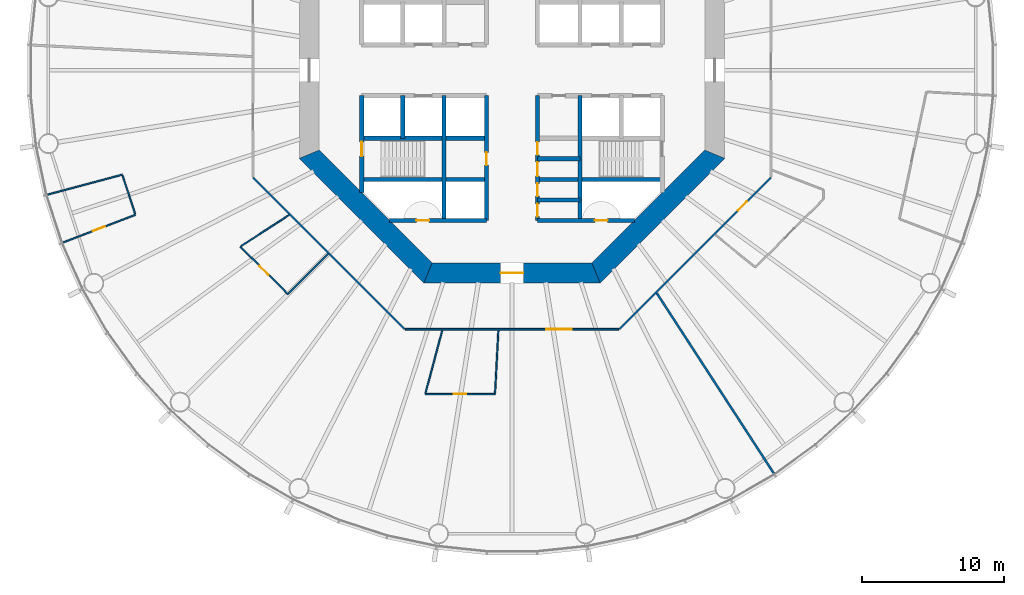
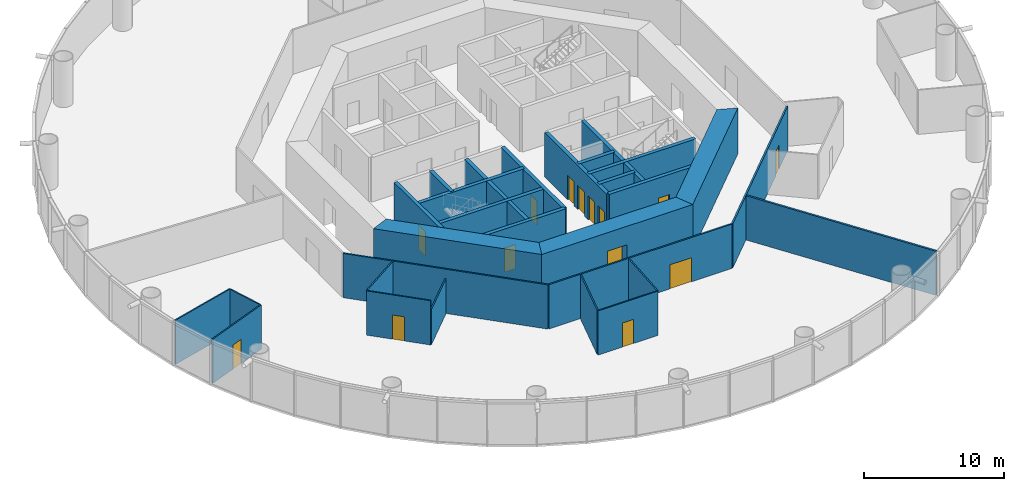
# One storey, part 3 of 13: 29 walls, 14 doors, 14 openings.
"""IFC4 building model written with IfcOpenShell, lengths in metres."""

from ifc_helpers import new_model, si_unit, direction, frame, frame_2d, origin, place, context, subcontext, project, spatial, polyline, rectangle, outline, extrude, material, layer, layer_set, type_object, element, fill, save


model = new_model("IFC4")

# Units and contexts
model_context = context("Model", 3, precision=1e-05, world=origin(), true_north=direction((0.0, 1.0)))
body_context = subcontext(model_context, "Body", "Model", "MODEL_VIEW")
ifc_project = project(units=[si_unit("LENGTHUNIT", "METRE"), si_unit("AREAUNIT", "SQUARE_METRE"), si_unit("VOLUMEUNIT", "CUBIC_METRE"), si_unit("PLANEANGLEUNIT", "RADIAN"), si_unit("MASSUNIT", "GRAM", prefix="KILO")], contexts=[model_context])

# Site, building, storey
site_placement = place(None, origin())
site = spatial("IfcSite", under=ifc_project, at=site_placement, CompositionType="ELEMENT")
building_placement = place(site_placement, origin())
building = spatial("IfcBuilding", under=site, at=building_placement, Name="Entoto Ring Tower", CompositionType="ELEMENT")
storey_placement = place(building_placement, frame((0.0, 0.0, 50.0)))
storey = spatial("IfcBuildingStorey", under=building, at=storey_placement, Name="L10", CompositionType="ELEMENT", Elevation=50.0)

# Wall
ifc_material_1 = material(Name="Concrete C40/50", Category="concrete")
ifc_layer_1 = layer(ifc_material_1, 0.300048828125)
ifc_layer_set_1 = layer_set([ifc_layer_1], Name="Concrete C40/50")
wall_type_1 = type_object("IfcWallType", Name="Core enclosure wall 300 mm reinforced concrete", PredefinedType="SOLIDWALL", material=ifc_layer_set_1)
wall_1_placement = place(storey_placement, frame((94.800048828125, 69.39990234375, 0.0), z_axis=(0.0, 0.0, 1.0), x_axis=(0.0, 1.0, 0.0)))
element("IfcWall", 1, at=wall_1_placement, inside=storey, type_object=wall_type_1, Name="wall-L10-005", PredefinedType="SOLIDWALL", context=body_context, shape_type="SweptSolid", body=[
    extrude(rectangle(XDim=8.800048828125, YDim=0.300048828125, at=frame_2d((4.39990234375, 0.0))), origin(), (0.0, 0.0, 1.0), 3.85009765625),
])

# Wall, openings, doors
wall_2_placement = place(storey_placement, frame((91.800048828125, 69.39990234375, 0.0), z_axis=(0.0, 0.0, 1.0), x_axis=(0.0, 1.0, 0.0)))
wall_2 = element("IfcWall", 2, at=wall_2_placement, inside=storey, type_object=wall_type_1, Name="wall-L10-007", PredefinedType="SOLIDWALL", context=body_context, shape_type="SweptSolid", body=[
    extrude(rectangle(XDim=8.800048828125, YDim=0.300048828125, at=frame_2d((4.39990234375, 0.0))), origin(), (0.0, 0.0, 1.0), 3.85009765625),
])
opening_1_placement = place(wall_2_placement, frame((3.125, 0.0, 0.0)))
opening_1 = element("IfcOpeningElement", 3, at=opening_1_placement, cuts=wall_2, Name="Opening K-13", PredefinedType="OPENING", context=body_context, shape_type="SweptSolid", body=[
    extrude(rectangle(XDim=1.0, YDim=2.10009765625, at=frame_2d((0.5, 1.050048828125))), frame((0.0, 0.16015625, 0.0), z_axis=(0.0, -1.0, 0.0), x_axis=(1.0, 0.0, 0.0)), (0.0, 0.0, 1.0), 0.320068359375),
])
opening_2_placement = place(wall_2_placement, frame((4.625, 0.0, 0.0)))
opening_2 = element("IfcOpeningElement", 4, at=opening_2_placement, cuts=wall_2, Name="Opening K-14", PredefinedType="OPENING", context=body_context, shape_type="SweptSolid", body=[
    extrude(rectangle(XDim=0.89990234375, YDim=2.10009765625, at=frame_2d((0.449951171875, 1.050048828125))), frame((0.0, 0.16015625, 0.0), z_axis=(0.0, -1.0, 0.0), x_axis=(1.0, 0.0, 0.0)), (0.0, 0.0, 1.0), 0.320068359375),
])
opening_3_placement = place(wall_2_placement, frame((0.27490234375, 0.0, 0.0)))
opening_3 = element("IfcOpeningElement", 5, at=opening_3_placement, cuts=wall_2, Name="Opening K-15", PredefinedType="OPENING", context=body_context, shape_type="SweptSolid", body=[
    extrude(rectangle(XDim=0.89990234375, YDim=2.10009765625, at=frame_2d((0.449951171875, 1.050048828125))), frame((0.0, 0.16015625, 0.0), z_axis=(0.0, -1.0, 0.0), x_axis=(1.0, 0.0, 0.0)), (0.0, 0.0, 1.0), 0.320068359375),
])
opening_4_placement = place(wall_2_placement, frame((1.72509765625, 0.0, 0.0)))
opening_4 = element("IfcOpeningElement", 6, at=opening_4_placement, cuts=wall_2, Name="Opening K-16", PredefinedType="OPENING", context=body_context, shape_type="SweptSolid", body=[
    extrude(rectangle(XDim=0.89990234375, YDim=2.10009765625, at=frame_2d((0.449951171875, 1.050048828125))), frame((0.0, 0.16015625, 0.0), z_axis=(0.0, -1.0, 0.0), x_axis=(1.0, 0.0, 0.0)), (0.0, 0.0, 1.0), 0.320068359375),
])
ifc_material_2 = material(Name="Steel door leaf, fire rated", Category="steel")
ifc_layer_2 = layer(ifc_material_2, 0.050048828125)
ifc_layer_set_2 = layer_set([ifc_layer_2], Name="Steel door leaf, fire rated")
door_type_1 = type_object("IfcDoorType", Name="Accessible door 1000 x 2100 single leaf", OperationType="NOTDEFINED", PredefinedType="DOOR", material=ifc_layer_set_2)
door_1_placement = place(opening_1_placement, frame((1.0, 0.0, 0.0), z_axis=(0.0, 0.0, 1.0), x_axis=(-1.0, 0.0, 0.0)))
door_1 = element("IfcDoor", 7, at=door_1_placement, inside=storey, type_object=door_type_1, Name="Door K-13", OperationType="SINGLE_SWING_LEFT", OverallHeight=2.10009765625, OverallWidth=1.0, PredefinedType="DOOR", context=body_context, shape_type="SweptSolid", body=[
    extrude(rectangle(XDim=1.0, YDim=2.10009765625, at=frame_2d((0.5, 1.050048828125))), frame((0.0, 0.02490234375, 0.0), z_axis=(0.0, -1.0, 0.0), x_axis=(1.0, 0.0, 0.0)), (0.0, 0.0, 1.0), 0.050048828125),
])
fill(opening_1, door_1)
ifc_material_3 = material(Name="Steel door leaf, fire rated", Category="steel")
ifc_layer_3 = layer(ifc_material_3, 0.050048828125)
ifc_layer_set_3 = layer_set([ifc_layer_3], Name="Steel door leaf, fire rated")
door_type_2 = type_object("IfcDoorType", Name="Core door 900 x 2100 single leaf", OperationType="NOTDEFINED", PredefinedType="DOOR", material=ifc_layer_set_3)
door_2_placement = place(opening_2_placement, frame((0.89990234375, 0.0, 0.0), z_axis=(0.0, 0.0, 1.0), x_axis=(-1.0, 0.0, 0.0)))
door_2 = element("IfcDoor", 8, at=door_2_placement, inside=storey, type_object=door_type_2, Name="Door K-14", OperationType="SINGLE_SWING_LEFT", OverallHeight=2.10009765625, OverallWidth=0.89990234375, PredefinedType="DOOR", context=body_context, shape_type="SweptSolid", body=[
    extrude(rectangle(XDim=0.89990234375, YDim=2.10009765625, at=frame_2d((0.449951171875, 1.050048828125))), frame((0.0, 0.02490234375, 0.0), z_axis=(0.0, -1.0, 0.0), x_axis=(1.0, 0.0, 0.0)), (0.0, 0.0, 1.0), 0.050048828125),
])
fill(opening_2, door_2)
door_3_placement = place(opening_3_placement, frame((0.89990234375, 0.0, 0.0), z_axis=(0.0, 0.0, 1.0), x_axis=(-1.0, 0.0, 0.0)))
door_3 = element("IfcDoor", 9, at=door_3_placement, inside=storey, type_object=door_type_2, Name="Door K-15", OperationType="SINGLE_SWING_LEFT", OverallHeight=2.10009765625, OverallWidth=0.89990234375, PredefinedType="DOOR", context=body_context, shape_type="SweptSolid", body=[
    extrude(rectangle(XDim=0.89990234375, YDim=2.10009765625, at=frame_2d((0.449951171875, 1.050048828125))), frame((0.0, 0.02490234375, 0.0), z_axis=(0.0, -1.0, 0.0), x_axis=(1.0, 0.0, 0.0)), (0.0, 0.0, 1.0), 0.050048828125),
])
fill(opening_3, door_3)
door_4_placement = place(opening_4_placement, frame((0.89990234375, 0.0, 0.0), z_axis=(0.0, 0.0, 1.0), x_axis=(-1.0, 0.0, 0.0)))
door_4 = element("IfcDoor", 10, at=door_4_placement, inside=storey, type_object=door_type_2, Name="Door K-16", OperationType="SINGLE_SWING_LEFT", OverallHeight=2.10009765625, OverallWidth=0.89990234375, PredefinedType="DOOR", context=body_context, shape_type="SweptSolid", body=[
    extrude(rectangle(XDim=0.89990234375, YDim=2.10009765625, at=frame_2d((0.449951171875, 1.050048828125))), frame((0.0, 0.02490234375, 0.0), z_axis=(0.0, -1.0, 0.0), x_axis=(1.0, 0.0, 0.0)), (0.0, 0.0, 1.0), 0.050048828125),
])
fill(opening_4, door_4)

# Wall, opening, door
wall_3_placement = place(storey_placement, frame((88.199951171875, 69.39990234375, 0.0), z_axis=(0.0, 0.0, 1.0), x_axis=(0.0, 1.0, 0.0)))
wall_3 = element("IfcWall", 11, at=wall_3_placement, inside=storey, type_object=wall_type_1, Name="wall-L10-009", PredefinedType="SOLIDWALL", context=body_context, shape_type="SweptSolid", body=[
    extrude(rectangle(XDim=8.800048828125, YDim=0.300048828125, at=frame_2d((4.39990234375, 0.0))), origin(), (0.0, 0.0, 1.0), 3.85009765625),
])
opening_5_placement = place(wall_3_placement, frame((3.89990234375, 0.0, 0.0)))
opening_5 = element("IfcOpeningElement", 12, at=opening_5_placement, cuts=wall_3, Name="Opening K-57", PredefinedType="OPENING", context=body_context, shape_type="SweptSolid", body=[
    extrude(rectangle(XDim=0.89990234375, YDim=2.10009765625, at=frame_2d((0.449951171875, 1.050048828125))), frame((0.0, 0.16015625, 0.0), z_axis=(0.0, -1.0, 0.0), x_axis=(1.0, 0.0, 0.0)), (0.0, 0.0, 1.0), 0.320068359375),
])
door_5_placement = place(opening_5_placement, origin())
door_5 = element("IfcDoor", 13, at=door_5_placement, inside=storey, type_object=door_type_2, Name="Door K-57", OperationType="SINGLE_SWING_RIGHT", OverallHeight=2.10009765625, OverallWidth=0.89990234375, PredefinedType="DOOR", context=body_context, shape_type="SweptSolid", body=[
    extrude(rectangle(XDim=0.89990234375, YDim=2.10009765625, at=frame_2d((0.449951171875, 1.050048828125))), frame((0.0, 0.02490234375, 0.0), z_axis=(0.0, -1.0, 0.0), x_axis=(1.0, 0.0, 0.0)), (0.0, 0.0, 1.0), 0.050048828125),
])
fill(opening_5, door_5)

# Walls
wall_4_placement = place(storey_placement, frame((85.199951171875, 69.39990234375, 0.0), z_axis=(0.0, 0.0, 1.0), x_axis=(0.0, 1.0, 0.0)))
element("IfcWall", 14, at=wall_4_placement, inside=storey, type_object=wall_type_1, Name="wall-L10-011", PredefinedType="SOLIDWALL", context=body_context, shape_type="SweptSolid", body=[
    extrude(rectangle(XDim=8.800048828125, YDim=0.300048828125, at=frame_2d((4.39990234375, 0.0))), origin(), (0.0, 0.0, 1.0), 3.85009765625),
])
wall_5_placement = place(storey_placement, frame((82.300048828125, 75.199951171875, 0.0), z_axis=(0.0, 0.0, 1.0), x_axis=(0.0, 1.0, 0.0)))
element("IfcWall", 15, at=wall_5_placement, inside=storey, type_object=wall_type_1, Name="wall-L10-013", PredefinedType="SOLIDWALL", context=body_context, shape_type="SweptSolid", body=[
    extrude(rectangle(XDim=3.0, YDim=0.300048828125, at=frame_2d((1.5, 0.0))), origin(), (0.0, 0.0, 1.0), 3.85009765625),
])

# Wall, opening, door
wall_6_placement = place(storey_placement, frame((79.39990234375, 71.36669921875, 0.0), z_axis=(0.0, 0.0, 1.0), x_axis=(0.0, 1.0, 0.0)))
wall_6 = element("IfcWall", 16, at=wall_6_placement, inside=storey, type_object=wall_type_1, Name="wall-L10-015", PredefinedType="SOLIDWALL", context=body_context, shape_type="SweptSolid", body=[
    extrude(rectangle(XDim=6.833251953125, YDim=0.300048828125, at=frame_2d((3.41650390625, 0.0))), origin(), (0.0, 0.0, 1.0), 3.85009765625),
])
opening_6_placement = place(wall_6_placement, frame((2.583251953125, 0.0, 0.0)))
opening_6 = element("IfcOpeningElement", 17, at=opening_6_placement, cuts=wall_6, Name="Opening K-67", PredefinedType="OPENING", context=body_context, shape_type="SweptSolid", body=[
    extrude(rectangle(XDim=1.0, YDim=2.10009765625, at=frame_2d((0.5, 1.050048828125))), frame((0.0, 0.16015625, 0.0), z_axis=(0.0, -1.0, 0.0), x_axis=(1.0, 0.0, 0.0)), (0.0, 0.0, 1.0), 0.320068359375),
])
ifc_material_4 = material(Name="Steel door leaf, fire rated", Category="steel")
ifc_layer_4 = layer(ifc_material_4, 0.050048828125)
ifc_layer_set_4 = layer_set([ifc_layer_4], Name="Steel door leaf, fire rated")
door_type_3 = type_object("IfcDoorType", Name="Fire door FD60 1000 x 2100 single leaf", OperationType="NOTDEFINED", PredefinedType="DOOR", material=ifc_layer_set_4)
door_6_placement = place(opening_6_placement, frame((1.0, 0.0, 0.0), z_axis=(0.0, 0.0, 1.0), x_axis=(-1.0, 0.0, 0.0)))
door_6 = element("IfcDoor", 18, at=door_6_placement, inside=storey, type_object=door_type_3, Name="Door K-67", OperationType="SINGLE_SWING_LEFT", OverallHeight=2.10009765625, OverallWidth=1.0, PredefinedType="DOOR", context=body_context, shape_type="SweptSolid", body=[
    extrude(rectangle(XDim=1.0, YDim=2.10009765625, at=frame_2d((0.5, 1.050048828125))), frame((0.0, 0.02490234375, 0.0), z_axis=(0.0, -1.0, 0.0), x_axis=(1.0, 0.0, 0.0)), (0.0, 0.0, 1.0), 0.050048828125),
])
fill(opening_6, door_6)

wall_7_placement = place(storey_placement, frame((81.36669921875, 69.39990234375, 0.0), z_axis=(0.0, 0.0, 1.0), x_axis=(1.0, 0.0, 0.0)))
wall_7 = element("IfcWall", 19, at=wall_7_placement, inside=storey, type_object=wall_type_1, Name="wall-L10-017", PredefinedType="SOLIDWALL", context=body_context, shape_type="SweptSolid", body=[
    extrude(rectangle(XDim=6.833251953125, YDim=0.300048828125, at=frame_2d((3.41650390625, 0.0))), origin(), (0.0, 0.0, 1.0), 3.85009765625),
])
opening_7_placement = place(wall_7_placement, frame((1.88330078125, 0.0, 0.0)))
opening_7 = element("IfcOpeningElement", 20, at=opening_7_placement, cuts=wall_7, Name="Opening K-74", PredefinedType="OPENING", context=body_context, shape_type="SweptSolid", body=[
    extrude(rectangle(XDim=0.89990234375, YDim=2.10009765625, at=frame_2d((0.449951171875, 1.050048828125))), frame((0.0, 0.16015625, 0.0), z_axis=(0.0, -1.0, 0.0), x_axis=(1.0, 0.0, 0.0)), (0.0, 0.0, 1.0), 0.320068359375),
])
ifc_material_5 = material(Name="Steel door leaf, fire rated", Category="steel")
ifc_layer_5 = layer(ifc_material_5, 0.050048828125)
ifc_layer_set_5 = layer_set([ifc_layer_5], Name="Steel door leaf, fire rated")
door_type_4 = type_object("IfcDoorType", Name="Riser door FD60 900 x 2100 single leaf", OperationType="NOTDEFINED", PredefinedType="DOOR", material=ifc_layer_set_5)
door_7_placement = place(opening_7_placement, origin())
door_7 = element("IfcDoor", 21, at=door_7_placement, inside=storey, type_object=door_type_4, Name="Door K-74", OperationType="SINGLE_SWING_RIGHT", OverallHeight=2.10009765625, OverallWidth=0.89990234375, PredefinedType="DOOR", context=body_context, shape_type="SweptSolid", body=[
    extrude(rectangle(XDim=0.89990234375, YDim=2.10009765625, at=frame_2d((0.449951171875, 1.050048828125))), frame((0.0, 0.02490234375, 0.0), z_axis=(0.0, -1.0, 0.0), x_axis=(1.0, 0.0, 0.0)), (0.0, 0.0, 1.0), 0.050048828125),
])
fill(opening_7, door_7)

wall_8_placement = place(storey_placement, frame((91.800048828125, 69.39990234375, 0.0), z_axis=(0.0, 0.0, 1.0), x_axis=(1.0, 0.0, 0.0)))
wall_8 = element("IfcWall", 22, at=wall_8_placement, inside=storey, type_object=wall_type_1, Name="wall-L10-018", PredefinedType="SOLIDWALL", context=body_context, shape_type="SweptSolid", body=[
    extrude(rectangle(XDim=6.833251953125, YDim=0.300048828125, at=frame_2d((3.41650390625, 0.0))), origin(), (0.0, 0.0, 1.0), 3.85009765625),
])
opening_8_placement = place(wall_8_placement, frame((4.050048828125, 0.0, 0.0)))
opening_8 = element("IfcOpeningElement", 23, at=opening_8_placement, cuts=wall_8, Name="Opening K-75", PredefinedType="OPENING", context=body_context, shape_type="SweptSolid", body=[
    extrude(rectangle(XDim=0.89990234375, YDim=2.10009765625, at=frame_2d((0.449951171875, 1.050048828125))), frame((0.0, 0.16015625, 0.0), z_axis=(0.0, -1.0, 0.0), x_axis=(1.0, 0.0, 0.0)), (0.0, 0.0, 1.0), 0.320068359375),
])
door_8_placement = place(opening_8_placement, origin())
door_8 = element("IfcDoor", 24, at=door_8_placement, inside=storey, type_object=door_type_4, Name="Door K-75", OperationType="SINGLE_SWING_LEFT", OverallHeight=2.10009765625, OverallWidth=0.89990234375, PredefinedType="DOOR", context=body_context, shape_type="SweptSolid", body=[
    extrude(rectangle(XDim=0.89990234375, YDim=2.10009765625, at=frame_2d((0.449951171875, 1.050048828125))), frame((0.0, 0.02490234375, 0.0), z_axis=(0.0, -1.0, 0.0), x_axis=(1.0, 0.0, 0.0)), (0.0, 0.0, 1.0), 0.050048828125),
])
fill(opening_8, door_8)

# Walls
wall_9_placement = place(storey_placement, frame((91.800048828125, 70.85009765625, 0.0), z_axis=(0.0, 0.0, 1.0), x_axis=(1.0, 0.0, 0.0)))
element("IfcWall", 25, at=wall_9_placement, inside=storey, type_object=wall_type_1, Name="wall-L10-019", PredefinedType="SOLIDWALL", context=body_context, shape_type="SweptSolid", body=[
    extrude(rectangle(XDim=3.0, YDim=0.300048828125, at=frame_2d((1.5, 0.0))), origin(), (0.0, 0.0, 1.0), 3.85009765625),
])
for number, where, z_axis, x_axis, name in (
    (26, (79.39990234375, 72.300048828125, 0.0), (0.0, 0.0, 1.0), (1.0, 0.0, 0.0), "wall-L10-020"),
    (27, (91.800048828125, 72.300048828125, 0.0), (0.0, 0.0, 1.0), (1.0, 0.0, 0.0), "wall-L10-021"),
):
    element("IfcWall", number, at=place(storey_placement, frame(where, z_axis=z_axis, x_axis=x_axis)), inside=storey, type_object=wall_type_1, Name=name, PredefinedType="SOLIDWALL", context=body_context, shape_type="SweptSolid", body=[
        extrude(rectangle(XDim=8.800048828125, YDim=0.300048828125, at=frame_2d((4.39990234375, 0.0))), origin(), (0.0, 0.0, 1.0), 3.85009765625),
    ])
wall_10_placement = place(storey_placement, frame((91.800048828125, 73.75, 0.0), z_axis=(0.0, 0.0, 1.0), x_axis=(1.0, 0.0, 0.0)))
element("IfcWall", 28, at=wall_10_placement, inside=storey, type_object=wall_type_1, Name="wall-L10-022", PredefinedType="SOLIDWALL", context=body_context, shape_type="SweptSolid", body=[
    extrude(rectangle(XDim=3.0, YDim=0.300048828125, at=frame_2d((1.5, 0.0))), origin(), (0.0, 0.0, 1.0), 3.85009765625),
])
wall_11_placement = place(storey_placement, frame((79.39990234375, 75.199951171875, 0.0), z_axis=(0.0, 0.0, 1.0), x_axis=(1.0, 0.0, 0.0)))
element("IfcWall", 29, at=wall_11_placement, inside=storey, type_object=wall_type_1, Name="wall-L10-023", PredefinedType="SOLIDWALL", context=body_context, shape_type="SweptSolid", body=[
    extrude(rectangle(XDim=8.800048828125, YDim=0.300048828125, at=frame_2d((4.39990234375, 0.0))), origin(), (0.0, 0.0, 1.0), 3.85009765625),
])
ifc_material_6 = material(Name="Concrete C60/75", Category="concrete")
ifc_layer_6 = layer(ifc_material_6, 1.39990234375)
ifc_layer_set_6 = layer_set([ifc_layer_6], Name="Concrete C60/75")
wall_type_2 = type_object("IfcWallType", Name="Core shear wall 1400 mm reinforced concrete C60/75", PredefinedType="SHEAR", material=ifc_layer_set_6)
wall_12_placement = place(storey_placement, frame((75.699951171875, 74.07666015625, 0.0), z_axis=(0.0, 0.0, 1.0), x_axis=(0.707106781187, -0.707106781187, 0.0)))
element("IfcWall", 30, at=wall_12_placement, inside=storey, type_object=wall_type_2, Name="wall-L10-core-5", PredefinedType="SHEAR", context=body_context, shape_type="SweptSolid", body=[
    extrude(outline(polyline([(-0.2900390625, -0.699951171875), (12.136474609375, -0.699951171875), (11.556396484375, 0.699951171875), (0.2900390625, 0.699951171875), (-0.2900390625, -0.699951171875)])), origin(), (0.0, 0.0, 1.0), 4.0),
])

# Wall, opening, door
wall_13_placement = place(storey_placement, frame((84.07666015625, 65.699951171875, 0.0), z_axis=(0.0, 0.0, 1.0), x_axis=(1.0, 0.0, 0.0)))
wall_13 = element("IfcWall", 31, at=wall_13_placement, inside=storey, type_object=wall_type_2, Name="wall-L10-core-6", PredefinedType="SHEAR", context=body_context, shape_type="SweptSolid", body=[
    extrude(outline(polyline([(-0.2900390625, -0.699951171875), (12.13671875, -0.699951171875), (11.556640625, 0.699951171875), (0.2900390625, 0.699951171875), (-0.2900390625, -0.699951171875)])), origin(), (0.0, 0.0, 1.0), 4.0),
])
opening_9_placement = place(wall_13_placement, frame((5.123291015625, 0.0, 0.0)))
opening_9 = element("IfcOpeningElement", 32, at=opening_9_placement, cuts=wall_13, Name="Opening K-04", PredefinedType="OPENING", context=body_context, shape_type="SweptSolid", body=[
    extrude(rectangle(XDim=1.60009765625, YDim=2.39990234375, at=frame_2d((0.800048828125, 1.199951171875))), frame((0.0, 0.7099609375, 0.0), z_axis=(0.0, -1.0, 0.0), x_axis=(1.0, 0.0, 0.0)), (0.0, 0.0, 1.0), 1.419921875),
])
ifc_material_7 = material(Name="Steel door leaf, fire rated", Category="steel")
ifc_layer_7 = layer(ifc_material_7, 0.050048828125)
ifc_layer_set_7 = layer_set([ifc_layer_7], Name="Steel door leaf, fire rated")
door_type_5 = type_object("IfcDoorType", Name="Entrance door FD60 1600 x 2400 double leaf", OperationType="DOUBLE_DOOR_SINGLE_SWING", PredefinedType="DOOR", material=ifc_layer_set_7)
door_9_placement = place(opening_9_placement, origin())
door_9 = element("IfcDoor", 33, at=door_9_placement, inside=storey, type_object=door_type_5, Name="Entrance door K-04", OperationType="DOUBLE_DOOR_SINGLE_SWING", OverallHeight=2.39990234375, OverallWidth=1.60009765625, PredefinedType="DOOR", context=body_context, shape_type="SweptSolid", body=[
    extrude(rectangle(XDim=1.60009765625, YDim=2.39990234375, at=frame_2d((0.800048828125, 1.199951171875))), frame((0.0, 0.02490234375, 0.0), z_axis=(0.0, -1.0, 0.0), x_axis=(1.0, 0.0, 0.0)), (0.0, 0.0, 1.0), 0.050048828125),
])
fill(opening_9, door_9)

# Walls
wall_14_placement = place(storey_placement, frame((95.92333984375, 65.699951171875, 0.0), z_axis=(0.0, 0.0, 1.0), x_axis=(0.707106781187, 0.707106781187, 0.0)))
element("IfcWall", 34, at=wall_14_placement, inside=storey, type_object=wall_type_2, Name="wall-L10-core-7", PredefinedType="SHEAR", context=body_context, shape_type="SweptSolid", body=[
    extrude(outline(polyline([(-0.2900390625, -0.699951171875), (12.136474609375, -0.699951171875), (11.556396484375, 0.699951171875), (0.2900390625, 0.699951171875), (-0.2900390625, -0.699951171875)])), origin(), (0.0, 0.0, 1.0), 4.0),
])
ifc_material_8 = material(Name="Fire-resisting plasterboard on steel studs", Category="steel")
ifc_layer_8 = layer(ifc_material_8, 0.125)
ifc_layer_set_8 = layer_set([ifc_layer_8], Name="Fire-resisting plasterboard on steel studs")
wall_type_3 = type_object("IfcWallType", Name="Corridor wall 125 mm one-hour plasterboard on steel studs", PredefinedType="PARTITIONING", material=ifc_layer_set_8)
wall_15_placement = place(storey_placement, frame((82.435302734375, 61.737548828125, 0.0), z_axis=(0.0, 0.0, 1.0), x_axis=(-0.707106781187, 0.707106781187, 0.0)))
element("IfcWall", 35, at=wall_15_placement, inside=storey, type_object=wall_type_3, Name="partition-L10-002", PredefinedType="PARTITIONING", context=body_context, shape_type="SweptSolid", body=[
    extrude(rectangle(XDim=15.12890625, YDim=0.125, at=frame_2d((7.564453125, 0.0))), origin(), (0.0, 0.0, 1.0), 3.85009765625),
])

# Wall, opening, door
wall_16_placement = place(storey_placement, frame((97.564697265625, 61.737548828125, 0.0), z_axis=(0.0, 0.0, 1.0), x_axis=(0.707106781187, 0.707106781187, 0.0)))
wall_16 = element("IfcWall", 36, at=wall_16_placement, inside=storey, type_object=wall_type_3, Name="partition-L10-003", PredefinedType="PARTITIONING", context=body_context, shape_type="SweptSolid", body=[
    extrude(rectangle(XDim=15.12890625, YDim=0.125, at=frame_2d((7.564453125, 0.0))), origin(), (0.0, 0.0, 1.0), 3.85009765625),
])
opening_10_placement = place(wall_16_placement, frame((11.8564453125, 0.0, 0.0)))
opening_10 = element("IfcOpeningElement", 37, at=opening_10_placement, cuts=wall_16, Name="Opening A04-D09", PredefinedType="OPENING", context=body_context, shape_type="SweptSolid", body=[
    extrude(rectangle(XDim=0.89990234375, YDim=2.10009765625, at=frame_2d((0.449951171875, 1.050048828125))), frame((0.0, 0.072509765625, 0.0), z_axis=(0.0, -1.0, 0.0), x_axis=(1.0, 0.0, 0.0)), (0.0, 0.0, 1.0), 0.14501953125),
])
ifc_material_9 = material(Name="Fire-resisting timber door set", Category="wood")
door_type_6 = type_object("IfcDoorType", Name="Door 1000 x 2100 single leaf FD30S fire door", OperationType="NOTDEFINED", PredefinedType="DOOR", material=ifc_material_9)
door_10_placement = place(opening_10_placement, frame((0.89990234375, 0.0, 0.0), z_axis=(0.0, 0.0, 1.0), x_axis=(-1.0, 0.0, 0.0)))
door_10 = element("IfcDoor", 38, at=door_10_placement, inside=storey, type_object=door_type_6, Name="Door A04-D09", OperationType="SINGLE_SWING_RIGHT", OverallHeight=2.10009765625, OverallWidth=0.89990234375, PredefinedType="DOOR", context=body_context, shape_type="SweptSolid", body=[
    extrude(rectangle(XDim=0.89990234375, YDim=2.10009765625, at=frame_2d((0.449951171875, 1.050048828125))), frame((0.0, 0.02490234375, 0.0), z_axis=(0.0, -1.0, 0.0), x_axis=(1.0, 0.0, 0.0)), (0.0, 0.0, 1.0), 0.050048828125),
])
fill(opening_10, door_10)

wall_17_placement = place(storey_placement, frame((82.4794921875, 61.737548828125, 0.0), z_axis=(0.0, 0.0, 1.0), x_axis=(1.0, 0.0, 0.0)))
wall_17 = element("IfcWall", 39, at=wall_17_placement, inside=storey, type_object=wall_type_3, Name="partition-L10-006", PredefinedType="PARTITIONING", context=body_context, shape_type="SweptSolid", body=[
    extrude(rectangle(XDim=15.041015625, YDim=0.125, at=frame_2d((7.5205078125, 0.0))), origin(), (0.0, 0.0, 1.0), 3.85009765625),
])
opening_11_placement = place(wall_17_placement, frame((9.92431640625, 0.0, 0.0)))
opening_11 = element("IfcOpeningElement", 40, at=opening_11_placement, cuts=wall_17, Name="Opening A04-D01", PredefinedType="OPENING", context=body_context, shape_type="SweptSolid", body=[
    extrude(rectangle(XDim=1.800048828125, YDim=2.10009765625, at=frame_2d((0.89990234375, 1.050048828125))), frame((0.0, 0.072509765625, 0.0), z_axis=(0.0, -1.0, 0.0), x_axis=(1.0, 0.0, 0.0)), (0.0, 0.0, 1.0), 0.14501953125),
])
ifc_material_10 = material(Name="Fire-resisting timber door set", Category="wood")
door_type_7 = type_object("IfcDoorType", Name="Door 1800 x 2100 double leaf FD30S fire door", OperationType="DOUBLE_DOOR_SINGLE_SWING", PredefinedType="DOOR", material=ifc_material_10)
door_11_placement = place(opening_11_placement, origin())
door_11 = element("IfcDoor", 41, at=door_11_placement, inside=storey, type_object=door_type_7, Name="Door A04-D01", OperationType="DOUBLE_DOOR_SINGLE_SWING", OverallHeight=2.10009765625, OverallWidth=1.800048828125, PredefinedType="DOOR", context=body_context, shape_type="SweptSolid", body=[
    extrude(rectangle(XDim=1.800048828125, YDim=2.10009765625, at=frame_2d((0.89990234375, 1.050048828125))), frame((0.0, 0.02490234375, 0.0), z_axis=(0.0, -1.0, 0.0), x_axis=(1.0, 0.0, 0.0)), (0.0, 0.0, 1.0), 0.050048828125),
])
fill(opening_11, door_11)

ifc_material_11 = material(Name="Plasterboard on steel studs", Category="steel")
ifc_layer_9 = layer(ifc_material_11, 0.10009765625)
ifc_layer_set_9 = layer_set([ifc_layer_9], Name="Plasterboard on steel studs")
wall_type_4 = type_object("IfcWallType", Name="Partition 100 mm plasterboard on steel studs", PredefinedType="PARTITIONING", material=ifc_layer_set_9)
wall_18_placement = place(storey_placement, frame((58.314208984375, 67.8369140625, 0.0), z_axis=(0.0, 0.0, 1.0), x_axis=(0.933578069125, 0.358374090649, 0.0)))
wall_18 = element("IfcWall", 42, at=wall_18_placement, inside=storey, type_object=wall_type_4, Name="partition-L10-014", PredefinedType="PARTITIONING", context=body_context, shape_type="SweptSolid", body=[
    extrude(rectangle(XDim=5.490234375, YDim=0.10009765625, at=frame_2d((2.7451171875, 0.0))), origin(), (0.0, 0.0, 1.0), 3.85009765625),
])
opening_12_placement = place(wall_18_placement, frame((2.294921875, 0.0, 0.0)))
opening_12 = element("IfcOpeningElement", 43, at=opening_12_placement, cuts=wall_18, Name="Opening A04-D05", PredefinedType="OPENING", context=body_context, shape_type="SweptSolid", body=[
    extrude(rectangle(XDim=0.89990234375, YDim=2.10009765625, at=frame_2d((0.449951171875, 1.050048828125))), frame((0.0, 0.06005859375, 0.0), z_axis=(0.0, -1.0, 0.0), x_axis=(1.0, 0.0, 0.0)), (0.0, 0.0, 1.0), 0.1201171875),
])
ifc_material_12 = material(Name="Veneered timber door leaf in timber frame", Category="wood")
door_type_8 = type_object("IfcDoorType", Name="Door 900 x 2100 single leaf timber veneer", OperationType="NOTDEFINED", PredefinedType="DOOR", material=ifc_material_12)
door_12_placement = place(opening_12_placement, origin())
door_12 = element("IfcDoor", 44, at=door_12_placement, inside=storey, type_object=door_type_8, Name="Door A04-D05", OperationType="SINGLE_SWING_LEFT", OverallHeight=2.10009765625, OverallWidth=0.89990234375, PredefinedType="DOOR", context=body_context, shape_type="SweptSolid", body=[
    extrude(rectangle(XDim=0.89990234375, YDim=2.10009765625, at=frame_2d((0.449951171875, 1.050048828125))), frame((0.0, 0.02490234375, 0.0), z_axis=(0.0, -1.0, 0.0), x_axis=(1.0, 0.0, 0.0)), (0.0, 0.0, 1.0), 0.050048828125),
])
fill(opening_12, door_12)

# Wall
wall_19_placement = place(storey_placement, frame((57.216552734375, 71.2158203125, 0.0), z_axis=(0.0, 0.0, 1.0), x_axis=(0.965924230401, 0.258825000964, 0.0)))
element("IfcWall", 45, at=wall_19_placement, inside=storey, type_object=wall_type_4, Name="partition-L10-015", PredefinedType="PARTITIONING", context=body_context, shape_type="SweptSolid", body=[
    extrude(rectangle(XDim=5.48974609375, YDim=0.10009765625, at=frame_2d((2.744873046875, 0.0))), origin(), (0.0, 0.0, 1.0), 3.85009765625),
])

# Wall, opening, door
wall_20_placement = place(storey_placement, frame((83.87939453125, 57.157470703125, 0.0), z_axis=(0.0, 0.0, 1.0), x_axis=(1.0, 0.0, 0.0)))
wall_20 = element("IfcWall", 46, at=wall_20_placement, inside=storey, type_object=wall_type_4, Name="partition-L10-016", PredefinedType="PARTITIONING", context=body_context, shape_type="SweptSolid", body=[
    extrude(rectangle(XDim=4.923583984375, YDim=0.10009765625, at=frame_2d((2.4619140625, 0.0))), origin(), (0.0, 0.0, 1.0), 3.85009765625),
])
opening_13_placement = place(wall_20_placement, frame((2.01171875, 0.0, 0.0)))
opening_13 = element("IfcOpeningElement", 47, at=opening_13_placement, cuts=wall_20, Name="Opening A04-D04", PredefinedType="OPENING", context=body_context, shape_type="SweptSolid", body=[
    extrude(rectangle(XDim=0.89990234375, YDim=2.10009765625, at=frame_2d((0.449951171875, 1.050048828125))), frame((0.0, 0.06005859375, 0.0), z_axis=(0.0, -1.0, 0.0), x_axis=(1.0, 0.0, 0.0)), (0.0, 0.0, 1.0), 0.1201171875),
])
door_13_placement = place(opening_13_placement, origin())
door_13 = element("IfcDoor", 48, at=door_13_placement, inside=storey, type_object=door_type_8, Name="Door A04-D04", OperationType="SINGLE_SWING_LEFT", OverallHeight=2.10009765625, OverallWidth=0.89990234375, PredefinedType="DOOR", context=body_context, shape_type="SweptSolid", body=[
    extrude(rectangle(XDim=0.89990234375, YDim=2.10009765625, at=frame_2d((0.449951171875, 1.050048828125))), frame((0.0, 0.02490234375, 0.0), z_axis=(0.0, -1.0, 0.0), x_axis=(1.0, 0.0, 0.0)), (0.0, 0.0, 1.0), 0.050048828125),
])
fill(opening_13, door_13)

wall_21_placement = place(storey_placement, frame((74.201416015625, 64.201416015625, 0.0), z_axis=(0.0, 0.0, 1.0), x_axis=(-0.707081076158, 0.707132485281, 0.0)))
wall_21 = element("IfcWall", 49, at=wall_21_placement, inside=storey, type_object=wall_type_4, Name="partition-L10-018", PredefinedType="PARTITIONING", context=body_context, shape_type="SweptSolid", body=[
    extrude(rectangle(XDim=4.7490234375, YDim=0.10009765625, at=frame_2d((2.37451171875, 0.0))), origin(), (0.0, 0.0, 1.0), 3.85009765625),
])
opening_14_placement = place(wall_21_placement, frame((1.924560546875, 0.0, 0.0)))
opening_14 = element("IfcOpeningElement", 50, at=opening_14_placement, cuts=wall_21, Name="Opening A04-D03", PredefinedType="OPENING", context=body_context, shape_type="SweptSolid", body=[
    extrude(rectangle(XDim=0.89990234375, YDim=2.10009765625, at=frame_2d((0.449951171875, 1.050048828125))), frame((0.0, 0.06005859375, 0.0), z_axis=(0.0, -1.0, 0.0), x_axis=(1.0, 0.0, 0.0)), (0.0, 0.0, 1.0), 0.1201171875),
])
door_14_placement = place(opening_14_placement, frame((0.89990234375, 0.0, 0.0), z_axis=(0.0, 0.0, 1.0), x_axis=(-1.0, 0.0, 0.0)))
door_14 = element("IfcDoor", 51, at=door_14_placement, inside=storey, type_object=door_type_8, Name="Door A04-D03", OperationType="SINGLE_SWING_LEFT", OverallHeight=2.10009765625, OverallWidth=0.89990234375, PredefinedType="DOOR", context=body_context, shape_type="SweptSolid", body=[
    extrude(rectangle(XDim=0.89990234375, YDim=2.10009765625, at=frame_2d((0.449951171875, 1.050048828125))), frame((0.0, 0.02490234375, 0.0), z_axis=(0.0, -1.0, 0.0), x_axis=(1.0, 0.0, 0.0)), (0.0, 0.0, 1.0), 0.050048828125),
])
fill(opening_14, door_14)

# Walls
wall_22_placement = place(storey_placement, frame((83.896240234375, 57.22021484375, 0.0), z_axis=(0.0, 0.0, 1.0), x_axis=(0.25881569625, 0.965926723605, 0.0)))
element("IfcWall", 52, at=wall_22_placement, inside=storey, type_object=wall_type_4, Name="partition-L10-019", PredefinedType="PARTITIONING", context=body_context, shape_type="SweptSolid", body=[
    extrude(rectangle(XDim=4.5986328125, YDim=0.10009765625, at=frame_2d((2.29931640625, 0.0))), origin(), (0.0, 0.0, 1.0), 3.85009765625),
])
wall_23_placement = place(storey_placement, frame((88.805419921875, 57.20751953125, 0.0), z_axis=(0.0, 0.0, 1.0), x_axis=(0.05236680735, 0.998627917439, 0.0)))
element("IfcWall", 53, at=wall_23_placement, inside=storey, type_object=wall_type_4, Name="partition-L10-024", PredefinedType="PARTITIONING", context=body_context, shape_type="SweptSolid", body=[
    extrude(rectangle(XDim=4.470947265625, YDim=0.10009765625, at=frame_2d((2.2353515625, 0.0))), origin(), (0.0, 0.0, 1.0), 3.85009765625),
])
wall_24_placement = place(storey_placement, frame((70.89501953125, 67.593017578125, 0.0), z_axis=(0.0, 0.0, 1.0), x_axis=(0.838673001431, 0.544635287757, 0.0)))
element("IfcWall", 54, at=wall_24_placement, inside=storey, type_object=wall_type_4, Name="partition-L10-027", PredefinedType="PARTITIONING", context=body_context, shape_type="SweptSolid", body=[
    extrude(rectangle(XDim=4.03515625, YDim=0.10009765625, at=frame_2d((2.017578125, 0.0))), origin(), (0.0, 0.0, 1.0), 3.85009765625),
])
wall_25_placement = place(storey_placement, frame((63.42431640625, 69.851806640625, 0.0), z_axis=(0.0, 0.0, 1.0), x_axis=(-0.309017022444, 0.951056507175, 0.0)))
element("IfcWall", 55, at=wall_25_placement, inside=storey, type_object=wall_type_4, Name="partition-L10-032", PredefinedType="PARTITIONING", context=body_context, shape_type="SweptSolid", body=[
    extrude(rectangle(XDim=2.878173828125, YDim=0.10009765625, at=frame_2d((1.43896484375, 0.0))), origin(), (0.0, 0.0, 1.0), 3.85009765625),
])
ifc_material_13 = material(Name="Plasterboard on steel studs", Category="steel")
ifc_layer_10 = layer(ifc_material_13, 0.10009765625)
ifc_layer_set_10 = layer_set([ifc_layer_10], Name="Plasterboard on steel studs")
wall_type_5 = type_object("IfcWallType", Name="Partition 100 mm plasterboard on steel studs, 3050 mm high", PredefinedType="PARTITIONING", material=ifc_layer_set_10)
wall_26_placement = place(storey_placement, frame((74.23681640625, 64.23681640625, 0.0), z_axis=(0.0, 0.0, 1.0), x_axis=(0.707106781187, 0.707106781187, 0.0)))
element("IfcWall", 56, at=wall_26_placement, inside=storey, type_object=wall_type_5, Name="partition-L10-028", PredefinedType="PARTITIONING", context=body_context, shape_type="SweptSolid", body=[
    extrude(rectangle(XDim=3.967529296875, YDim=0.10009765625, at=frame_2d((1.98388671875, 0.0))), origin(), (0.0, 0.0, 1.0), 3.050048828125),
])
ifc_material_14 = material(Name="Fire-resisting acoustic plasterboard on steel studs", Category="steel")
ifc_layer_11 = layer(ifc_material_14, 0.14990234375)
ifc_layer_set_11 = layer_set([ifc_layer_11], Name="Fire-resisting acoustic plasterboard on steel studs")
wall_type_6 = type_object("IfcWallType", Name="Party wall 150 mm one-hour acoustic plasterboard on steel studs", PredefinedType="PARTITIONING", material=ifc_layer_set_11)
wall_27_placement = place(storey_placement, frame((108.485107421875, 51.535400390625, 0.0), z_axis=(0.0, 0.0, 1.0), x_axis=(-0.544638037766, 0.838671215565, 0.0)))
element("IfcWall", 57, at=wall_27_placement, inside=storey, type_object=wall_type_6, Name="partition-L10-011", PredefinedType="PARTITIONING", context=body_context, shape_type="SweptSolid", body=[
    extrude(rectangle(XDim=15.189697265625, YDim=0.14990234375, at=frame_2d((7.5947265625, 0.0))), origin(), (0.0, 0.0, 1.0), 3.85009765625),
])

save(model, "model.ifc")
